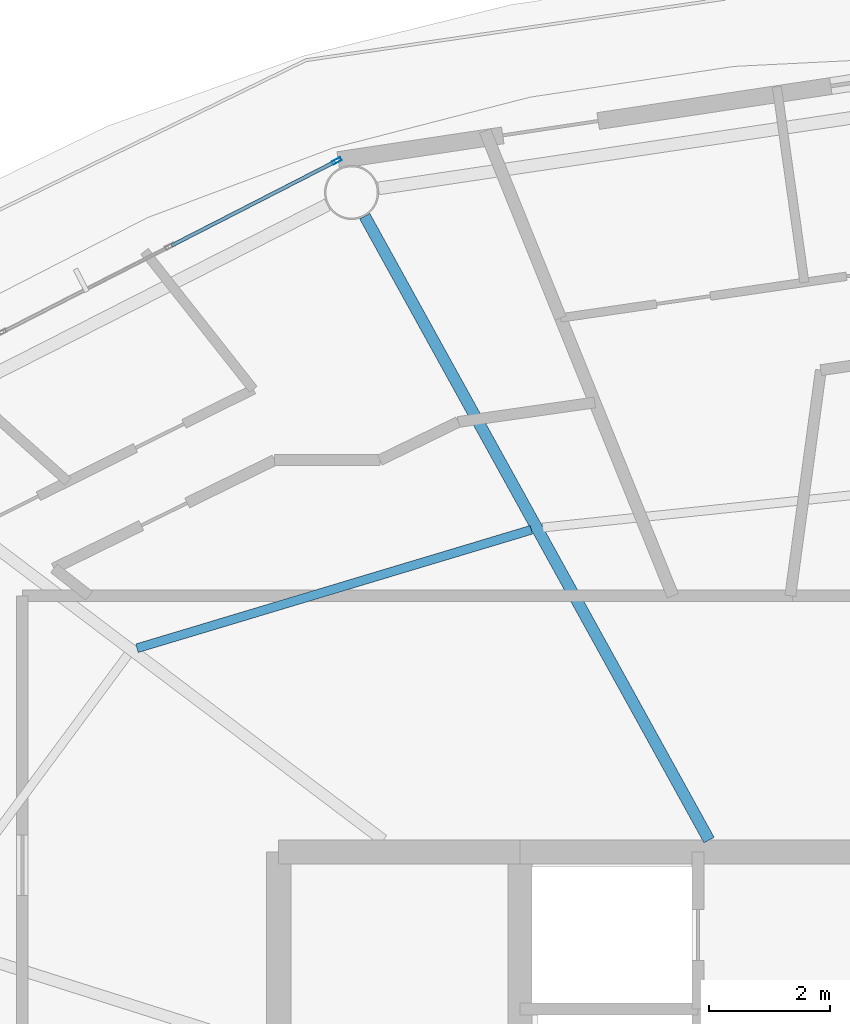
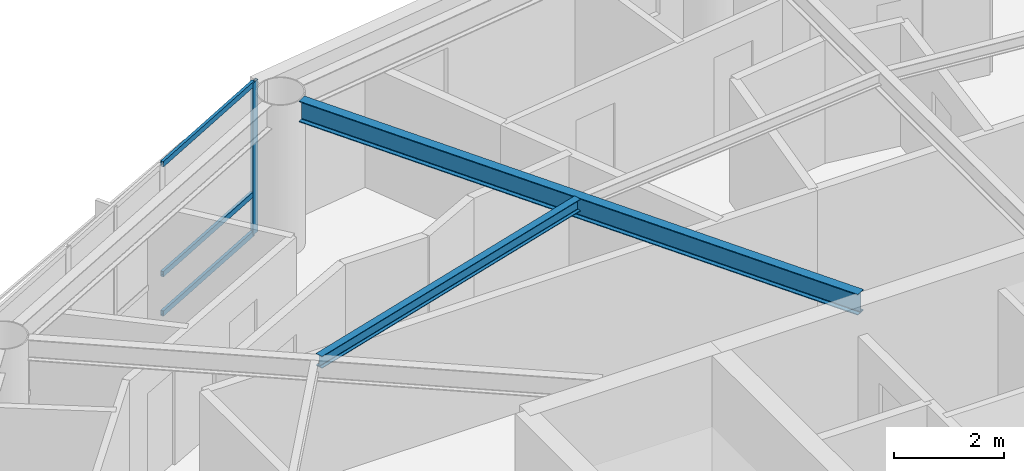
# One storey, part 9 of 23: 4 members, 2 beams, 1 element without a shape of its own.
"""IFC4 building model written with IfcOpenShell, lengths in metres."""

from ifc_helpers import new_model, si_unit, direction, frame, origin, origin_2d, place, context, subcontext, project, spatial, hollow_rectangle, i_section, extrude, material, layer, layer_set, material_profile, profile_set, type_object, element, aggregate, save


model = new_model("IFC4")

# Units and contexts
model_context = context("Model", 3, precision=1e-05, world=origin(), true_north=direction((0.0, 1.0)))
body_context = subcontext(model_context, "Body", "Model", "MODEL_VIEW")
ifc_project = project(units=[si_unit("LENGTHUNIT", "METRE"), si_unit("AREAUNIT", "SQUARE_METRE"), si_unit("VOLUMEUNIT", "CUBIC_METRE"), si_unit("PLANEANGLEUNIT", "RADIAN"), si_unit("MASSUNIT", "GRAM", prefix="KILO")], contexts=[model_context])

# Site, building, storey
site_placement = place(None, origin())
site = spatial("IfcSite", under=ifc_project, at=site_placement, CompositionType="ELEMENT")
building_placement = place(site_placement, origin())
building = spatial("IfcBuilding", under=site, at=building_placement, Name="Sarneth Arch Tower", CompositionType="ELEMENT")
storey_placement = place(building_placement, frame((0.0, 0.0, 231.60009765625)))
storey = spatial("IfcBuildingStorey", under=building, at=storey_placement, Name="L59", CompositionType="ELEMENT", Elevation=231.60009765625)

# Beams
ifc_material_1 = material(Name="Steel S355", Category="steel")
ifc_material_profile_1 = material_profile(ifc_material_1, i_section(OverallWidth=0.14794921875, OverallDepth=0.26611328125, WebThickness=0.007568359375, FlangeThickness=0.012939453125, FilletRadius=0.012939453125, at=origin_2d()), Name="W250x44.8")
ifc_profile_set_1 = profile_set([ifc_material_profile_1], Name="Steel S355")
beam_type_1 = type_object("IfcBeamType", Name="BM-JOIST-250", PredefinedType="JOIST", material=ifc_profile_set_1)
beam_1_placement = place(storey_placement, frame((41.189453125, 54.14453125, 3.226806640625), z_axis=(-0.957725851155, -0.287682453461, 0.0), x_axis=(0.287682453461, -0.957725851155, 0.0)))
element("IfcBeam", 1, at=beam_1_placement, inside=storey, type_object=beam_type_1, Name="L59 Secondary floor joist 06", PredefinedType="JOIST", context=body_context, shape_type="SweptSolid", body=[
    extrude(i_section(OverallWidth=0.14794921875, OverallDepth=0.26611328125, WebThickness=0.007568359375, FlangeThickness=0.012939453125, FilletRadius=0.012939453125, at=origin_2d()), origin(), (0.0, 0.0, 1.0), 6.828125),
])
ifc_material_2 = material(Name="Steel S355", Category="steel")
ifc_material_profile_2 = material_profile(ifc_material_2, i_section(OverallWidth=0.19189453125, OverallDepth=0.462890625, WebThickness=0.010498046875, FlangeThickness=0.017578125, FilletRadius=0.01806640625, at=origin_2d()), Name="W460x89")
ifc_profile_set_2 = profile_set([ifc_material_profile_2], Name="Steel S355")
beam_type_2 = type_object("IfcBeamType", Name="BM-RAD-460B", PredefinedType="BEAM", material=ifc_profile_set_2)
beam_2_placement = place(storey_placement, frame((44.13623046875, 49.0, 3.12841796875), z_axis=(-0.483218265038, 0.875499919094, 0.0), x_axis=(-0.875499919094, -0.483218265038, 0.0)))
element("IfcBeam", 2, at=beam_2_placement, inside=storey, type_object=beam_type_2, Name="L59 Radial floor girder 06", PredefinedType="BEAM", context=body_context, shape_type="SweptSolid", body=[
    extrude(i_section(OverallWidth=0.19189453125, OverallDepth=0.462890625, WebThickness=0.010498046875, FlangeThickness=0.017578125, FilletRadius=0.01806640625, at=origin_2d()), origin(), (0.0, 0.0, 1.0), 11.8154296875),
])

# Curtain wall, members
ifc_material_3 = material(Name="Anodised aluminium Type AA25 and solar-control low-e laminated IGU", Category="aluminium")
ifc_layer = layer(ifc_material_3, 0.179931640625)
ifc_layer_set = layer_set([ifc_layer], Name="Anodised aluminium Type AA25 and solar-control low-e laminated IGU")
curtain_wall_type = type_object("IfcCurtainWallType", Name="CW-RES-HIGH", PredefinedType="NOTDEFINED", material=ifc_layer_set)
curtain_wall_placement = place(storey_placement, origin())
curtain_wall = element("IfcCurtainWall", 3, at=curtain_wall_placement, inside=storey, type_object=curtain_wall_type, Name="L59 Unitised curtain wall facet 06", PredefinedType="NOTDEFINED")
ifc_material_4 = material(Name="Anodised Aluminium 6063-T6", Category="aluminium")
ifc_material_profile_3 = material_profile(ifc_material_4, hollow_rectangle(XDim=0.06005859375, YDim=0.159912109375, WallThickness=0.00390625, at=origin_2d()), Name="AL-MULL-160x60x4")
ifc_profile_set_3 = profile_set([ifc_material_profile_3], Name="Anodised Aluminium 6063-T6")
member_type_1 = type_object("IfcMemberType", Name="CW-MULLION", PredefinedType="MULLION", material=ifc_profile_set_3)
member_1_placement = place(storey_placement, frame((37.960693359375, 60.2607421875, 0.0), z_axis=(0.0, 0.0, 1.0), x_axis=(0.455941901753, -0.890009540525, 0.0)))
member_1 = element("IfcMember", 4, at=member_1_placement, type_object=member_type_1, Name="CW-SYS-6 mullion 1", PredefinedType="MULLION", context=body_context, shape_type="SweptSolid", body=[
    extrude(hollow_rectangle(XDim=0.06005859375, YDim=0.159912109375, WallThickness=0.00390625, at=origin_2d()), origin(), (0.0, 0.0, 1.0), 3.35986328125),
])
ifc_material_5 = material(Name="Anodised Aluminium 6063-T6", Category="aluminium")
ifc_material_profile_4 = material_profile(ifc_material_5, hollow_rectangle(XDim=0.06005859375, YDim=0.1201171875, WallThickness=0.00390625, at=origin_2d()), Name="AL-TRAN-120x60x4")
ifc_profile_set_4 = profile_set([ifc_material_profile_4], Name="Anodised Aluminium 6063-T6")
member_type_2 = type_object("IfcMemberType", Name="CW-TRANSOM", PredefinedType="USERDEFINED", material=ifc_profile_set_4)
member_2_placement = place(storey_placement, frame((37.933837890625, 60.2470703125, 0.02978515625), z_axis=(-0.889973523166, -0.456012201662, 0.0), x_axis=(0.456012201662, -0.889973523166, 0.0)))
member_2 = element("IfcMember", 5, at=member_2_placement, type_object=member_type_2, Name="CW-SYS-6 transom 1.1", ObjectType="TRANSOM", PredefinedType="USERDEFINED", context=body_context, shape_type="SweptSolid", body=[
    extrude(hollow_rectangle(XDim=0.06005859375, YDim=0.1201171875, WallThickness=0.00390625, at=origin_2d()), origin(), (0.0, 0.0, 1.0), 3.044677734375),
])
member_3_placement = place(storey_placement, frame((37.933837890625, 60.2470703125, 0.89990234375), z_axis=(-0.889973523166, -0.456012201662, 0.0), x_axis=(0.456012201662, -0.889973523166, 0.0)))
member_3 = element("IfcMember", 6, at=member_3_placement, type_object=member_type_2, Name="CW-SYS-6 transom 1.2", ObjectType="TRANSOM", PredefinedType="USERDEFINED", context=body_context, shape_type="SweptSolid", body=[
    extrude(hollow_rectangle(XDim=0.06005859375, YDim=0.1201171875, WallThickness=0.00390625, at=origin_2d()), origin(), (0.0, 0.0, 1.0), 3.044677734375),
])
member_4_placement = place(storey_placement, frame((37.933837890625, 60.2470703125, 3.329833984375), z_axis=(-0.889973523166, -0.456012201662, 0.0), x_axis=(0.456012201662, -0.889973523166, 0.0)))
member_4 = element("IfcMember", 7, at=member_4_placement, type_object=member_type_2, Name="CW-SYS-6 transom 1.3", ObjectType="TRANSOM", PredefinedType="USERDEFINED", context=body_context, shape_type="SweptSolid", body=[
    extrude(hollow_rectangle(XDim=0.06005859375, YDim=0.1201171875, WallThickness=0.00390625, at=origin_2d()), origin(), (0.0, 0.0, 1.0), 3.044677734375),
])
aggregate(curtain_wall, [member_1, member_2, member_3, member_4])

save(model, "model.ifc")
